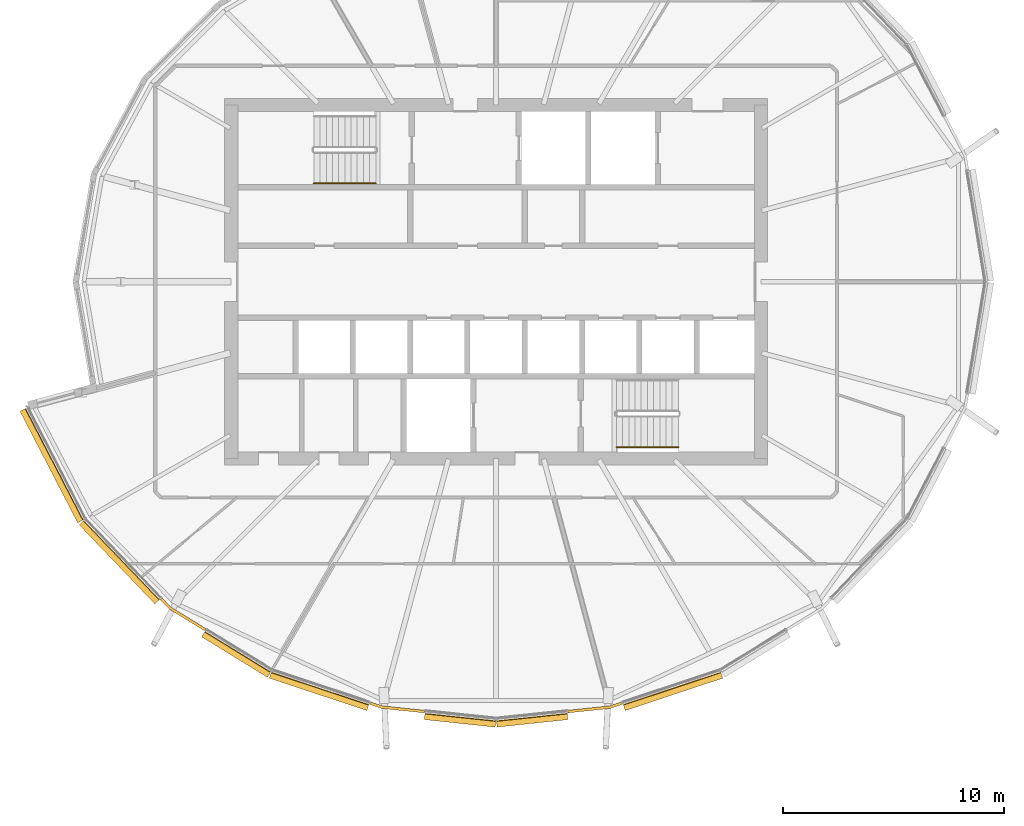
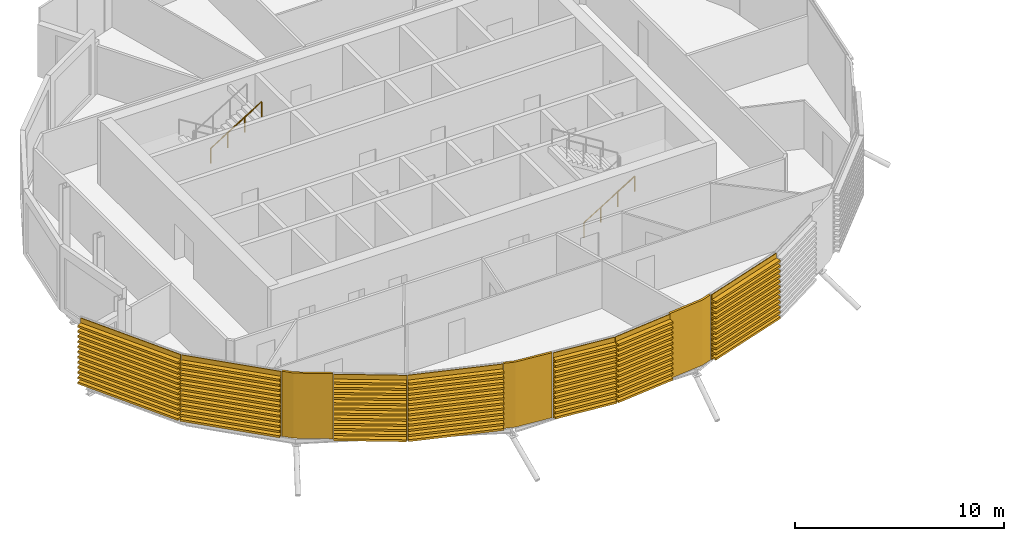
# One storey, part 31 of 36: 10 coverings, 2 railings.
"""IFC4 building model written with IfcOpenShell, lengths in metres."""

from ifc_helpers import new_model, si_unit, direction, frame, origin, origin_2d, place, context, subcontext, project, spatial, polyline, circle, outline, extrude, material, layer, layer_set, material_profile, profile_set, type_object, element, save


model = new_model("IFC4")

# Units and contexts
model_context = context("Model", 3, precision=1e-05, world=origin(), true_north=direction((0.0, 1.0)))
body_context = subcontext(model_context, "Body", "Model", "MODEL_VIEW")
ifc_project = project(units=[si_unit("LENGTHUNIT", "METRE"), si_unit("AREAUNIT", "SQUARE_METRE"), si_unit("VOLUMEUNIT", "CUBIC_METRE"), si_unit("PLANEANGLEUNIT", "RADIAN"), si_unit("MASSUNIT", "GRAM", prefix="KILO")], contexts=[model_context])

# Site, building, storey
site_placement = place(None, origin())
site = spatial("IfcSite", under=ifc_project, at=site_placement, CompositionType="ELEMENT")
building_placement = place(site_placement, origin())
building = spatial("IfcBuilding", under=site, at=building_placement, Name="Rimbun Link Towers", CompositionType="ELEMENT")
storey_placement = place(building_placement, frame((0.0, 0.0, 174.10009765625)))
storey = spatial("IfcBuildingStorey", under=building, at=storey_placement, Name="L42", CompositionType="ELEMENT", Elevation=174.10009765625)

# Coverings
ifc_material_1 = material(Name="Terracotta", Category="masonry")
ifc_layer = layer(ifc_material_1, 0.1201171875)
ifc_layer_set = layer_set([ifc_layer], Name="LINK PIER terracotta cladding 120")
covering_type_1 = type_object("IfcCoveringType", Name="LINK PIER terracotta cladding 120", PredefinedType="CLADDING", material=ifc_layer_set)
covering_1_placement = place(storey_placement, origin())
element("IfcCovering", 1, at=covering_1_placement, inside=storey, type_object=covering_type_1, Name="LINK PIER cladding", PredefinedType="CLADDING", context=body_context, shape_type="SweptSolid", body=[
    extrude(outline(polyline([(-44.8876953125, -15.709716796875), (-46.481201171875, -14.731201171875), (-46.875732421875, -14.31982421875), (-46.96240234375, -14.40283203125), (-46.55712890625, -14.825439453125), (-44.950439453125, -15.81201171875), (-44.8876953125, -15.709716796875)])), origin(), (0.0, 0.0, 1.0), 3.7998046875),
])
covering_2_placement = place(storey_placement, origin())
element("IfcCovering", 2, at=covering_2_placement, inside=storey, type_object=covering_type_1, Name="LINK PIER cladding", PredefinedType="CLADDING", context=body_context, shape_type="SweptSolid", body=[
    extrude(outline(polyline([(-34.987060546875, -19.40771484375), (-36.896484375, -19.20654296875), (-37.4375, -19.02734375), (-37.47509765625, -19.14111328125), (-36.921875, -19.324462890625), (-34.99951171875, -19.527099609375), (-34.987060546875, -19.40771484375)])), origin(), (0.0, 0.0, 1.0), 3.7998046875),
])
covering_3_placement = place(storey_placement, origin())
element("IfcCovering", 3, at=covering_3_placement, inside=storey, type_object=covering_type_1, Name="LINK PIER cladding", PredefinedType="CLADDING", context=body_context, shape_type="SweptSolid", body=[
    extrude(outline(polyline([(-26.0625, -19.02734375), (-26.603515625, -19.20654296875), (-28.512939453125, -19.40771484375), (-28.50048828125, -19.527099609375), (-26.578125, -19.324462890625), (-26.02490234375, -19.14111328125), (-26.0625, -19.02734375)])), origin(), (0.0, 0.0, 1.0), 3.7998046875),
])

# Railings
ifc_material_2 = material(Name="Stainless steel grade 316", Category="steel")
railing_type = type_object("IfcRailingType", Name="Stair handrail", PredefinedType="HANDRAIL", material=ifc_material_2)
for number, where, name in (
    (4, (-40.0, 4.449951171875, 2.072509765625), "L42 ST1 stair handrail 2"),
    (5, (-26.300048828125, -7.5, 0.172607421875), "L42 ST2 stair handrail 1"),
):
    element("IfcRailing", number, at=place(storey_placement, frame(where)), inside=storey, type_object=railing_type, Name=name, PredefinedType="HANDRAIL", context=body_context, shape_type="SweptSolid", body=[
        extrude(circle(Radius=0.02392578125, at=origin_2d()), frame((0.0, 0.0, 0.8759765625), z_axis=(0.851089632645, 0.0, 0.525020415988), x_axis=(0.0, 1.0, 0.0)), (0.0, 0.0, 1.0), 3.2900390625),
        extrude(circle(Radius=0.02099609375, at=origin_2d()), origin(), (0.0, 0.0, 1.0), 0.851806640625),
        extrude(circle(Radius=0.02099609375, at=origin_2d()), frame((0.933349609375, 0.0, 0.57568359375)), (0.0, 0.0, 1.0), 0.851806640625),
        extrude(circle(Radius=0.02099609375, at=origin_2d()), frame((1.86669921875, 0.0, 1.151611328125)), (0.0, 0.0, 1.0), 0.851806640625),
        extrude(circle(Radius=0.02099609375, at=origin_2d()), frame((2.800048828125, 0.0, 1.727294921875)), (0.0, 0.0, 1.0), 0.851806640625),
    ])

# Coverings
ifc_material_3 = material(Name="Terracotta", Category="masonry")
ifc_material_profile = material_profile(ifc_material_3, outline(polyline([(0.123046875, 0.0), (0.1630859375, 0.0), (0.1630859375, 0.10009765625), (0.423095703125, 0.10009765625), (0.423095703125, 0.219970703125), (0.1630859375, 0.219970703125), (0.1630859375, 0.39990234375), (0.423095703125, 0.39990234375), (0.423095703125, 0.52001953125), (0.1630859375, 0.52001953125), (0.1630859375, 0.699951171875), (0.423095703125, 0.699951171875), (0.423095703125, 0.820068359375), (0.1630859375, 0.820068359375), (0.1630859375, 1.0), (0.423095703125, 1.0), (0.423095703125, 1.1201171875), (0.1630859375, 1.1201171875), (0.1630859375, 1.300048828125), (0.423095703125, 1.300048828125), (0.423095703125, 1.419921875), (0.1630859375, 1.419921875), (0.1630859375, 1.60009765625), (0.423095703125, 1.60009765625), (0.423095703125, 1.719970703125), (0.1630859375, 1.719970703125), (0.1630859375, 1.89990234375), (0.423095703125, 1.89990234375), (0.423095703125, 2.02001953125), (0.1630859375, 2.02001953125), (0.1630859375, 2.199951171875), (0.423095703125, 2.199951171875), (0.423095703125, 2.320068359375), (0.1630859375, 2.320068359375), (0.1630859375, 2.5), (0.423095703125, 2.5), (0.423095703125, 2.6201171875), (0.1630859375, 2.6201171875), (0.1630859375, 2.800048828125), (0.423095703125, 2.800048828125), (0.423095703125, 2.919921875), (0.1630859375, 2.919921875), (0.1630859375, 3.10009765625), (0.423095703125, 3.10009765625), (0.423095703125, 3.219970703125), (0.1630859375, 3.219970703125), (0.1630859375, 3.39990234375), (0.423095703125, 3.39990234375), (0.423095703125, 3.52001953125), (0.1630859375, 3.52001953125), (0.1630859375, 3.800048828125), (0.123046875, 3.800048828125), (0.123046875, 0.0)])), Name="BAGUETTE 120X300")
ifc_profile_set = profile_set([ifc_material_profile], Name="Terracotta")
covering_type_2 = type_object("IfcCoveringType", Name="TERRACOTTA BAGUETTE 120X300 H3800", PredefinedType="CLADDING", material=ifc_profile_set)
covering_4_placement = place(storey_placement, frame((-50.323486328125, -10.723388671875, 0.0), z_axis=(-0.459578361582, 0.888137224513, 0.0), x_axis=(-0.888137224513, -0.459578361582, 0.0)))
element("IfcCovering", 6, at=covering_4_placement, inside=storey, type_object=covering_type_2, Name="TERRACOTTA BAGUETTE", PredefinedType="CLADDING", context=body_context, shape_type="SweptSolid", body=[
    extrude(outline(polyline([(0.123046875, 0.0), (0.1630859375, 0.0), (0.1630859375, 0.10009765625), (0.423095703125, 0.10009765625), (0.423095703125, 0.219970703125), (0.1630859375, 0.219970703125), (0.1630859375, 0.39990234375), (0.423095703125, 0.39990234375), (0.423095703125, 0.52001953125), (0.1630859375, 0.52001953125), (0.1630859375, 0.699951171875), (0.423095703125, 0.699951171875), (0.423095703125, 0.820068359375), (0.1630859375, 0.820068359375), (0.1630859375, 1.0), (0.423095703125, 1.0), (0.423095703125, 1.1201171875), (0.1630859375, 1.1201171875), (0.1630859375, 1.300048828125), (0.423095703125, 1.300048828125), (0.423095703125, 1.419921875), (0.1630859375, 1.419921875), (0.1630859375, 1.60009765625), (0.423095703125, 1.60009765625), (0.423095703125, 1.719970703125), (0.1630859375, 1.719970703125), (0.1630859375, 1.89990234375), (0.423095703125, 1.89990234375), (0.423095703125, 2.02001953125), (0.1630859375, 2.02001953125), (0.1630859375, 2.199951171875), (0.423095703125, 2.199951171875), (0.423095703125, 2.320068359375), (0.1630859375, 2.320068359375), (0.1630859375, 2.5), (0.423095703125, 2.5), (0.423095703125, 2.6201171875), (0.1630859375, 2.6201171875), (0.1630859375, 2.800048828125), (0.423095703125, 2.800048828125), (0.423095703125, 2.919921875), (0.1630859375, 2.919921875), (0.1630859375, 3.10009765625), (0.423095703125, 3.10009765625), (0.423095703125, 3.219970703125), (0.1630859375, 3.219970703125), (0.1630859375, 3.39990234375), (0.423095703125, 3.39990234375), (0.423095703125, 3.52001953125), (0.1630859375, 3.52001953125), (0.1630859375, 3.800048828125), (0.123046875, 3.800048828125), (0.123046875, 0.0)])), origin(), (0.0, 0.0, 1.0), 5.6826171875),
])
covering_5_placement = place(storey_placement, frame((-46.896484375, -14.298095703125, 0.0), z_axis=(-0.692035988, 0.721863000377, 0.0), x_axis=(-0.721863000377, -0.692035988, 0.0)))
element("IfcCovering", 7, at=covering_5_placement, inside=storey, type_object=covering_type_2, Name="TERRACOTTA BAGUETTE", PredefinedType="CLADDING", context=body_context, shape_type="SweptSolid", body=[
    extrude(outline(polyline([(0.123046875, 0.0), (0.1630859375, 0.0), (0.1630859375, 0.10009765625), (0.423095703125, 0.10009765625), (0.423095703125, 0.219970703125), (0.1630859375, 0.219970703125), (0.1630859375, 0.39990234375), (0.423095703125, 0.39990234375), (0.423095703125, 0.52001953125), (0.1630859375, 0.52001953125), (0.1630859375, 0.699951171875), (0.423095703125, 0.699951171875), (0.423095703125, 0.820068359375), (0.1630859375, 0.820068359375), (0.1630859375, 1.0), (0.423095703125, 1.0), (0.423095703125, 1.1201171875), (0.1630859375, 1.1201171875), (0.1630859375, 1.300048828125), (0.423095703125, 1.300048828125), (0.423095703125, 1.419921875), (0.1630859375, 1.419921875), (0.1630859375, 1.60009765625), (0.423095703125, 1.60009765625), (0.423095703125, 1.719970703125), (0.1630859375, 1.719970703125), (0.1630859375, 1.89990234375), (0.423095703125, 1.89990234375), (0.423095703125, 2.02001953125), (0.1630859375, 2.02001953125), (0.1630859375, 2.199951171875), (0.423095703125, 2.199951171875), (0.423095703125, 2.320068359375), (0.1630859375, 2.320068359375), (0.1630859375, 2.5), (0.423095703125, 2.5), (0.423095703125, 2.6201171875), (0.1630859375, 2.6201171875), (0.1630859375, 2.800048828125), (0.423095703125, 2.800048828125), (0.423095703125, 2.919921875), (0.1630859375, 2.919921875), (0.1630859375, 3.10009765625), (0.423095703125, 3.10009765625), (0.423095703125, 3.219970703125), (0.1630859375, 3.219970703125), (0.1630859375, 3.39990234375), (0.423095703125, 3.39990234375), (0.423095703125, 3.52001953125), (0.1630859375, 3.52001953125), (0.1630859375, 3.800048828125), (0.123046875, 3.800048828125), (0.123046875, 0.0)])), origin(), (0.0, 0.0, 1.0), 4.9521484375),
])
covering_6_placement = place(storey_placement, frame((-41.884521484375, -17.5537109375, 0.0), z_axis=(-0.852164119705, 0.523274605811, 0.0), x_axis=(-0.523274605811, -0.852164119705, 0.0)))
element("IfcCovering", 8, at=covering_6_placement, inside=storey, type_object=covering_type_2, Name="TERRACOTTA BAGUETTE", PredefinedType="CLADDING", context=body_context, shape_type="SweptSolid", body=[
    extrude(outline(polyline([(0.123046875, 0.0), (0.1630859375, 0.0), (0.1630859375, 0.10009765625), (0.423095703125, 0.10009765625), (0.423095703125, 0.219970703125), (0.1630859375, 0.219970703125), (0.1630859375, 0.39990234375), (0.423095703125, 0.39990234375), (0.423095703125, 0.52001953125), (0.1630859375, 0.52001953125), (0.1630859375, 0.699951171875), (0.423095703125, 0.699951171875), (0.423095703125, 0.820068359375), (0.1630859375, 0.820068359375), (0.1630859375, 1.0), (0.423095703125, 1.0), (0.423095703125, 1.1201171875), (0.1630859375, 1.1201171875), (0.1630859375, 1.300048828125), (0.423095703125, 1.300048828125), (0.423095703125, 1.419921875), (0.1630859375, 1.419921875), (0.1630859375, 1.60009765625), (0.423095703125, 1.60009765625), (0.423095703125, 1.719970703125), (0.1630859375, 1.719970703125), (0.1630859375, 1.89990234375), (0.423095703125, 1.89990234375), (0.423095703125, 2.02001953125), (0.1630859375, 2.02001953125), (0.1630859375, 2.199951171875), (0.423095703125, 2.199951171875), (0.423095703125, 2.320068359375), (0.1630859375, 2.320068359375), (0.1630859375, 2.5), (0.423095703125, 2.5), (0.423095703125, 2.6201171875), (0.1630859375, 2.6201171875), (0.1630859375, 2.800048828125), (0.423095703125, 2.800048828125), (0.423095703125, 2.919921875), (0.1630859375, 2.919921875), (0.1630859375, 3.10009765625), (0.423095703125, 3.10009765625), (0.423095703125, 3.219970703125), (0.1630859375, 3.219970703125), (0.1630859375, 3.39990234375), (0.423095703125, 3.39990234375), (0.423095703125, 3.52001953125), (0.1630859375, 3.52001953125), (0.1630859375, 3.800048828125), (0.123046875, 3.800048828125), (0.123046875, 0.0)])), origin(), (0.0, 0.0, 1.0), 3.494140625),
])
covering_7_placement = place(storey_placement, frame((-37.466064453125, -19.017822265625, 0.0), z_axis=(-0.94924302077, 0.314543617834, 0.0), x_axis=(-0.314543617834, -0.94924302077, 0.0)))
element("IfcCovering", 9, at=covering_7_placement, inside=storey, type_object=covering_type_2, Name="TERRACOTTA BAGUETTE", PredefinedType="CLADDING", context=body_context, shape_type="SweptSolid", body=[
    extrude(outline(polyline([(0.123046875, 0.0), (0.1630859375, 0.0), (0.1630859375, 0.10009765625), (0.423095703125, 0.10009765625), (0.423095703125, 0.219970703125), (0.1630859375, 0.219970703125), (0.1630859375, 0.39990234375), (0.423095703125, 0.39990234375), (0.423095703125, 0.52001953125), (0.1630859375, 0.52001953125), (0.1630859375, 0.699951171875), (0.423095703125, 0.699951171875), (0.423095703125, 0.820068359375), (0.1630859375, 0.820068359375), (0.1630859375, 1.0), (0.423095703125, 1.0), (0.423095703125, 1.1201171875), (0.1630859375, 1.1201171875), (0.1630859375, 1.300048828125), (0.423095703125, 1.300048828125), (0.423095703125, 1.419921875), (0.1630859375, 1.419921875), (0.1630859375, 1.60009765625), (0.423095703125, 1.60009765625), (0.423095703125, 1.719970703125), (0.1630859375, 1.719970703125), (0.1630859375, 1.89990234375), (0.423095703125, 1.89990234375), (0.423095703125, 2.02001953125), (0.1630859375, 2.02001953125), (0.1630859375, 2.199951171875), (0.423095703125, 2.199951171875), (0.423095703125, 2.320068359375), (0.1630859375, 2.320068359375), (0.1630859375, 2.5), (0.423095703125, 2.5), (0.423095703125, 2.6201171875), (0.1630859375, 2.6201171875), (0.1630859375, 2.800048828125), (0.423095703125, 2.800048828125), (0.423095703125, 2.919921875), (0.1630859375, 2.919921875), (0.1630859375, 3.10009765625), (0.423095703125, 3.10009765625), (0.423095703125, 3.219970703125), (0.1630859375, 3.219970703125), (0.1630859375, 3.39990234375), (0.423095703125, 3.39990234375), (0.423095703125, 3.52001953125), (0.1630859375, 3.52001953125), (0.1630859375, 3.800048828125), (0.123046875, 3.800048828125), (0.123046875, 0.0)])), origin(), (0.0, 0.0, 1.0), 4.65478515625),
])
for number, where, z_axis, x_axis, name in (
    (10, (-31.75, -19.74853515625, 0.0), (-0.994503378528, 0.104704489381, 0.0), (-0.104704489381, -0.994503378528, 0.0), "TERRACOTTA BAGUETTE"),
    (11, (-28.54296875, -19.410888671875, 0.0), (-0.994503378528, -0.104704489381, 0.0), (0.104704489381, -0.994503378528, 0.0), "TERRACOTTA BAGUETTE"),
):
    element("IfcCovering", number, at=place(storey_placement, frame(where, z_axis=z_axis, x_axis=x_axis)), inside=storey, type_object=covering_type_2, Name=name, PredefinedType="CLADDING", context=body_context, shape_type="SweptSolid", body=[
        extrude(outline(polyline([(0.123046875, 0.0), (0.1630859375, 0.0), (0.1630859375, 0.10009765625), (0.423095703125, 0.10009765625), (0.423095703125, 0.219970703125), (0.1630859375, 0.219970703125), (0.1630859375, 0.39990234375), (0.423095703125, 0.39990234375), (0.423095703125, 0.52001953125), (0.1630859375, 0.52001953125), (0.1630859375, 0.699951171875), (0.423095703125, 0.699951171875), (0.423095703125, 0.820068359375), (0.1630859375, 0.820068359375), (0.1630859375, 1.0), (0.423095703125, 1.0), (0.423095703125, 1.1201171875), (0.1630859375, 1.1201171875), (0.1630859375, 1.300048828125), (0.423095703125, 1.300048828125), (0.423095703125, 1.419921875), (0.1630859375, 1.419921875), (0.1630859375, 1.60009765625), (0.423095703125, 1.60009765625), (0.423095703125, 1.719970703125), (0.1630859375, 1.719970703125), (0.1630859375, 1.89990234375), (0.423095703125, 1.89990234375), (0.423095703125, 2.02001953125), (0.1630859375, 2.02001953125), (0.1630859375, 2.199951171875), (0.423095703125, 2.199951171875), (0.423095703125, 2.320068359375), (0.1630859375, 2.320068359375), (0.1630859375, 2.5), (0.423095703125, 2.5), (0.423095703125, 2.6201171875), (0.1630859375, 2.6201171875), (0.1630859375, 2.800048828125), (0.423095703125, 2.800048828125), (0.423095703125, 2.919921875), (0.1630859375, 2.919921875), (0.1630859375, 3.10009765625), (0.423095703125, 3.10009765625), (0.423095703125, 3.219970703125), (0.1630859375, 3.219970703125), (0.1630859375, 3.39990234375), (0.423095703125, 3.39990234375), (0.423095703125, 3.52001953125), (0.1630859375, 3.52001953125), (0.1630859375, 3.800048828125), (0.123046875, 3.800048828125), (0.123046875, 0.0)])), origin(), (0.0, 0.0, 1.0), 3.224853515625),
    ])
covering_8_placement = place(storey_placement, frame((-21.615478515625, -17.5537109375, 0.0), z_axis=(-0.94924302077, -0.314543617834, 0.0), x_axis=(0.314543617834, -0.94924302077, 0.0)))
element("IfcCovering", 12, at=covering_8_placement, inside=storey, type_object=covering_type_2, Name="TERRACOTTA BAGUETTE", PredefinedType="CLADDING", context=body_context, shape_type="SweptSolid", body=[
    extrude(outline(polyline([(0.123046875, 0.0), (0.1630859375, 0.0), (0.1630859375, 0.10009765625), (0.423095703125, 0.10009765625), (0.423095703125, 0.219970703125), (0.1630859375, 0.219970703125), (0.1630859375, 0.39990234375), (0.423095703125, 0.39990234375), (0.423095703125, 0.52001953125), (0.1630859375, 0.52001953125), (0.1630859375, 0.699951171875), (0.423095703125, 0.699951171875), (0.423095703125, 0.820068359375), (0.1630859375, 0.820068359375), (0.1630859375, 1.0), (0.423095703125, 1.0), (0.423095703125, 1.1201171875), (0.1630859375, 1.1201171875), (0.1630859375, 1.300048828125), (0.423095703125, 1.300048828125), (0.423095703125, 1.419921875), (0.1630859375, 1.419921875), (0.1630859375, 1.60009765625), (0.423095703125, 1.60009765625), (0.423095703125, 1.719970703125), (0.1630859375, 1.719970703125), (0.1630859375, 1.89990234375), (0.423095703125, 1.89990234375), (0.423095703125, 2.02001953125), (0.1630859375, 2.02001953125), (0.1630859375, 2.199951171875), (0.423095703125, 2.199951171875), (0.423095703125, 2.320068359375), (0.1630859375, 2.320068359375), (0.1630859375, 2.5), (0.423095703125, 2.5), (0.423095703125, 2.6201171875), (0.1630859375, 2.6201171875), (0.1630859375, 2.800048828125), (0.423095703125, 2.800048828125), (0.423095703125, 2.919921875), (0.1630859375, 2.919921875), (0.1630859375, 3.10009765625), (0.423095703125, 3.10009765625), (0.423095703125, 3.219970703125), (0.1630859375, 3.219970703125), (0.1630859375, 3.39990234375), (0.423095703125, 3.39990234375), (0.423095703125, 3.52001953125), (0.1630859375, 3.52001953125), (0.1630859375, 3.800048828125), (0.123046875, 3.800048828125), (0.123046875, 0.0)])), origin(), (0.0, 0.0, 1.0), 4.65478515625),
])

save(model, "model.ifc")
